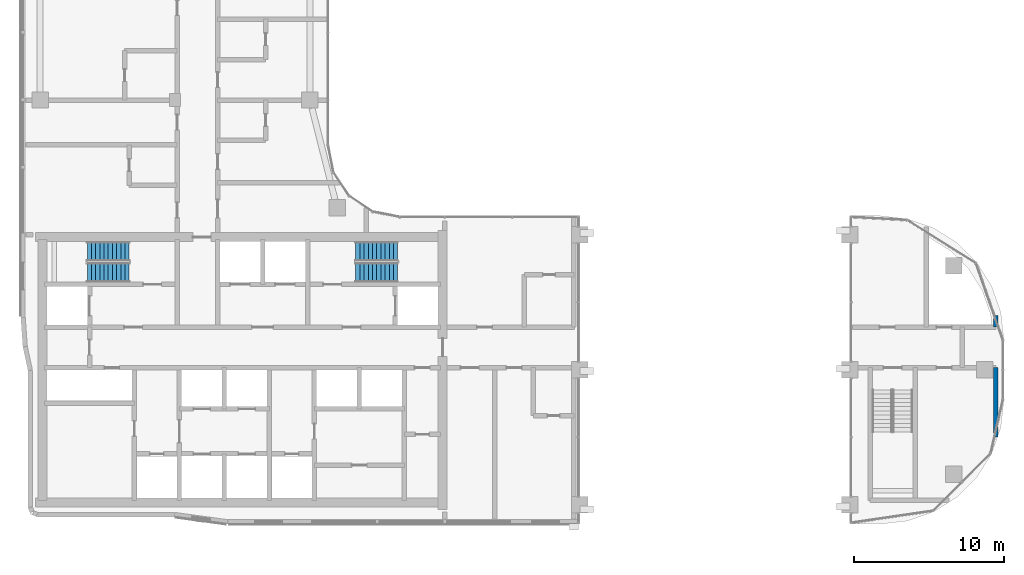
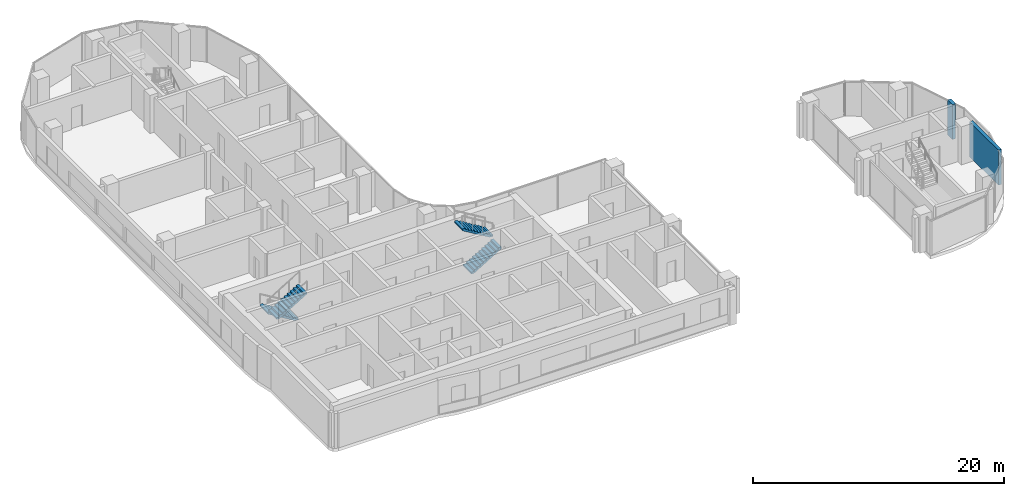
# One storey, part 14 of 23: 4 stair flights, 2 walls, 2 elements without a shape of their own.
"""IFC4 building model written with IfcOpenShell, lengths in metres."""

from ifc_helpers import new_model, si_unit, direction, frame, frame_2d, origin, place, context, subcontext, project, spatial, rectangle, extrude, triangles, source, transform, mapped, material, layer, layer_set, type_object, element, aggregate, save


model = new_model("IFC4")

# Units and contexts
model_context = context("Model", 3, precision=1e-05, world=origin(), true_north=direction((0.0, 1.0)))
body_context = subcontext(model_context, "Body", "Model", "MODEL_VIEW")
ifc_project = project(units=[si_unit("LENGTHUNIT", "METRE"), si_unit("AREAUNIT", "SQUARE_METRE"), si_unit("VOLUMEUNIT", "CUBIC_METRE"), si_unit("PLANEANGLEUNIT", "RADIAN"), si_unit("MASSUNIT", "GRAM", prefix="KILO")], contexts=[model_context])

# Site, building, storey
site_placement = place(None, origin())
site = spatial("IfcSite", under=ifc_project, at=site_placement, CompositionType="ELEMENT")
building_placement = place(site_placement, origin())
building = spatial("IfcBuilding", under=site, at=building_placement, Name="Ogive Portal Towers", CompositionType="ELEMENT")
storey_placement = place(building_placement, frame((0.0, 0.0, 168.10009765625)))
storey = spatial("IfcBuildingStorey", under=building, at=storey_placement, Name="L41", CompositionType="ELEMENT", Elevation=168.10009765625)

# Walls
ifc_material_1 = material(Name="Gypsum board partition on steel studs", Category="steel")
ifc_layer = layer(ifc_material_1, 0.300048828125)
ifc_layer_set = layer_set([ifc_layer], Name="WT-PART-300-EI 60")
wall_type = type_object("IfcWallType", Name="WT-PART-300-EI 60", PredefinedType="PARTITIONING", material=ifc_layer_set)
wall_1_placement = place(storey_placement, frame((95.25, 26.033935546875, 0.0), z_axis=(0.0, 0.0, 1.0), x_axis=(0.0, 1.0, 0.0)))
element("IfcWall", 1, at=wall_1_placement, inside=storey, type_object=wall_type, Name="Wall L41:w048", PredefinedType="PARTITIONING", context=body_context, shape_type="SweptSolid", body=[
    extrude(rectangle(XDim=4.615966796875, YDim=0.300048828125, at=frame_2d((2.30810546875, 0.0))), origin(), (0.0, 0.0, 1.0), 3.39990234375),
])
wall_2_placement = place(storey_placement, frame((95.25, 33.35009765625, 0.0), z_axis=(0.0, 0.0, 1.0), x_axis=(0.0, 1.0, 0.0)))
element("IfcWall", 2, at=wall_2_placement, inside=storey, type_object=wall_type, Name="Wall L41:w049", PredefinedType="PARTITIONING", context=body_context, shape_type="SweptSolid", body=[
    extrude(rectangle(XDim=0.77197265625, YDim=0.300048828125, at=frame_2d((0.385986328125, 0.0))), origin(), (0.0, 0.0, 1.0), 3.39990234375),
])

# Stair, stair flights
ifc_material_2 = material(Name="Concrete C40/50", Category="concrete")
stair_type = type_object("IfcStairType", Name="INT-STAIR", PredefinedType="HALF_TURN_STAIR", material=ifc_material_2)
stair_1_placement = place(storey_placement, origin())
stair_1 = element("IfcStair", 3, at=stair_1_placement, inside=storey, type_object=stair_type, Name="L41 Exit Stair ST-A1", PredefinedType="HALF_TURN_STAIR")
stair_flight_type = type_object("IfcStairFlightType", Name="INT-FLIGHT", PredefinedType="STRAIGHT", material=ifc_material_2)
shared_shape = source(origin(), body_context, "Body", "Tessellation", [
    triangles([(0.0, -0.650146484375, 0.0), (0.0, -0.376220703125, 0.0), (0.0, -0.192626953125, 0.0), (0.0, -0.081298828125, 0.0), (0.0, -0.024169921875, 0.0), (0.0, -0.003173828125, 0.0), (0.0, 0.0, 0.0), (0.0, 0.0029296875, 0.0), (0.0, 0.02392578125, 0.0), (0.0, 0.0810546875, 0.0), (0.0, 0.1923828125, 0.0), (0.0, 0.3759765625, 0.0), (0.0, 0.64990234375, 0.0), (0.0, -0.650146484375, 0.168212890625), (0.0, -0.376220703125, 0.168212890625), (0.0, -0.192626953125, 0.168212890625), (0.0, -0.081298828125, 0.168212890625), (0.0, -0.024169921875, 0.168212890625), (0.0, -0.003173828125, 0.168212890625), (0.0, 0.0, 0.168212890625), (0.0, 0.0029296875, 0.168212890625), (0.0, 0.02392578125, 0.168212890625), (0.0, 0.0810546875, 0.168212890625), (0.0, 0.1923828125, 0.168212890625), (0.0, 0.3759765625, 0.168212890625), (0.0, 0.64990234375, 0.168212890625), (0.280029296875, -0.650146484375, 0.168212890625), (0.280029296875, -0.376220703125, 0.168212890625), (0.280029296875, -0.192626953125, 0.168212890625), (0.280029296875, -0.081298828125, 0.168212890625), (0.280029296875, -0.024169921875, 0.168212890625), (0.280029296875, -0.003173828125, 0.168212890625), (0.280029296875, 0.0, 0.168212890625), (0.280029296875, 0.0029296875, 0.168212890625), (0.280029296875, 0.02392578125, 0.168212890625), (0.280029296875, 0.0810546875, 0.168212890625), (0.280029296875, 0.1923828125, 0.168212890625), (0.280029296875, 0.3759765625, 0.168212890625), (0.280029296875, 0.64990234375, 0.168212890625), (0.280029296875, -0.650146484375, 0.33642578125), (0.280029296875, -0.376220703125, 0.33642578125), (0.280029296875, -0.192626953125, 0.33642578125), (0.280029296875, -0.081298828125, 0.33642578125), (0.280029296875, -0.024169921875, 0.33642578125), (0.280029296875, -0.003173828125, 0.33642578125), (0.280029296875, 0.0, 0.33642578125), (0.280029296875, 0.0029296875, 0.33642578125), (0.280029296875, 0.02392578125, 0.33642578125), (0.280029296875, 0.0810546875, 0.33642578125), (0.280029296875, 0.1923828125, 0.33642578125), (0.280029296875, 0.3759765625, 0.33642578125), (0.280029296875, 0.64990234375, 0.33642578125), (0.56005859375, -0.650146484375, 0.33642578125), (0.56005859375, -0.376220703125, 0.33642578125), (0.56005859375, -0.192626953125, 0.33642578125), (0.56005859375, -0.081298828125, 0.33642578125), (0.56005859375, -0.024169921875, 0.33642578125), (0.56005859375, -0.003173828125, 0.33642578125), (0.56005859375, 0.0, 0.33642578125), (0.56005859375, 0.0029296875, 0.33642578125), (0.56005859375, 0.02392578125, 0.33642578125), (0.56005859375, 0.0810546875, 0.33642578125), (0.56005859375, 0.1923828125, 0.33642578125), (0.56005859375, 0.3759765625, 0.33642578125), (0.56005859375, 0.64990234375, 0.33642578125), (0.56005859375, -0.650146484375, 0.504638671875), (0.56005859375, -0.376220703125, 0.504638671875), (0.56005859375, -0.192626953125, 0.504638671875), (0.56005859375, -0.081298828125, 0.504638671875), (0.56005859375, -0.024169921875, 0.504638671875), (0.56005859375, -0.003173828125, 0.504638671875), (0.56005859375, 0.0, 0.504638671875), (0.56005859375, 0.0029296875, 0.504638671875), (0.56005859375, 0.02392578125, 0.504638671875), (0.56005859375, 0.0810546875, 0.504638671875), (0.56005859375, 0.1923828125, 0.504638671875), (0.56005859375, 0.3759765625, 0.504638671875), (0.56005859375, 0.64990234375, 0.504638671875), (0.840087890625, -0.650146484375, 0.504638671875), (0.840087890625, -0.376220703125, 0.504638671875), (0.840087890625, -0.192626953125, 0.504638671875), (0.840087890625, -0.081298828125, 0.504638671875), (0.840087890625, -0.024169921875, 0.504638671875), (0.840087890625, -0.003173828125, 0.504638671875), (0.840087890625, 0.0, 0.504638671875), (0.840087890625, 0.0029296875, 0.504638671875), (0.840087890625, 0.02392578125, 0.504638671875), (0.840087890625, 0.0810546875, 0.504638671875), (0.840087890625, 0.1923828125, 0.504638671875), (0.840087890625, 0.3759765625, 0.504638671875), (0.840087890625, 0.64990234375, 0.504638671875), (0.840087890625, -0.650146484375, 0.672607421875), (0.840087890625, -0.376220703125, 0.672607421875), (0.840087890625, -0.192626953125, 0.672607421875), (0.840087890625, -0.081298828125, 0.672607421875), (0.840087890625, -0.024169921875, 0.672607421875), (0.840087890625, -0.003173828125, 0.672607421875), (0.840087890625, 0.0, 0.672607421875), (0.840087890625, 0.0029296875, 0.672607421875), (0.840087890625, 0.02392578125, 0.672607421875), (0.840087890625, 0.0810546875, 0.672607421875), (0.840087890625, 0.1923828125, 0.672607421875), (0.840087890625, 0.3759765625, 0.672607421875), (0.840087890625, 0.64990234375, 0.672607421875), (1.1201171875, -0.650146484375, 0.672607421875), (1.1201171875, -0.376220703125, 0.672607421875), (1.1201171875, -0.192626953125, 0.672607421875), (1.1201171875, -0.081298828125, 0.672607421875), (1.1201171875, -0.024169921875, 0.672607421875), (1.1201171875, -0.003173828125, 0.672607421875), (1.1201171875, 0.0, 0.672607421875), (1.1201171875, 0.0029296875, 0.672607421875), (1.1201171875, 0.02392578125, 0.672607421875), (1.1201171875, 0.0810546875, 0.672607421875), (1.1201171875, 0.1923828125, 0.672607421875), (1.1201171875, 0.3759765625, 0.672607421875), (1.1201171875, 0.64990234375, 0.672607421875), (1.1201171875, -0.650146484375, 0.8408203125), (1.1201171875, -0.376220703125, 0.8408203125), (1.1201171875, -0.192626953125, 0.8408203125), (1.1201171875, -0.081298828125, 0.8408203125), (1.1201171875, -0.024169921875, 0.8408203125), (1.1201171875, -0.003173828125, 0.8408203125), (1.1201171875, 0.0, 0.8408203125), (1.1201171875, 0.0029296875, 0.8408203125), (1.1201171875, 0.02392578125, 0.8408203125), (1.1201171875, 0.0810546875, 0.8408203125), (1.1201171875, 0.1923828125, 0.8408203125), (1.1201171875, 0.3759765625, 0.8408203125), (1.1201171875, 0.64990234375, 0.8408203125), (1.39990234375, -0.650146484375, 0.8408203125), (1.39990234375, -0.376220703125, 0.8408203125), (1.39990234375, -0.192626953125, 0.8408203125), (1.39990234375, -0.081298828125, 0.8408203125), (1.39990234375, -0.024169921875, 0.8408203125), (1.39990234375, -0.003173828125, 0.8408203125), (1.39990234375, 0.0, 0.8408203125), (1.39990234375, 0.0029296875, 0.8408203125), (1.39990234375, 0.02392578125, 0.8408203125), (1.39990234375, 0.0810546875, 0.8408203125), (1.39990234375, 0.1923828125, 0.8408203125), (1.39990234375, 0.3759765625, 0.8408203125), (1.39990234375, 0.64990234375, 0.8408203125), (1.39990234375, -0.650146484375, 1.009033203125), (1.39990234375, -0.376220703125, 1.009033203125), (1.39990234375, -0.192626953125, 1.009033203125), (1.39990234375, -0.081298828125, 1.009033203125), (1.39990234375, -0.024169921875, 1.009033203125), (1.39990234375, -0.003173828125, 1.009033203125), (1.39990234375, 0.0, 1.009033203125), (1.39990234375, 0.0029296875, 1.009033203125), (1.39990234375, 0.02392578125, 1.009033203125), (1.39990234375, 0.0810546875, 1.009033203125), (1.39990234375, 0.1923828125, 1.009033203125), (1.39990234375, 0.3759765625, 1.009033203125), (1.39990234375, 0.64990234375, 1.009033203125), (1.679931640625, -0.650146484375, 1.009033203125), (1.679931640625, -0.376220703125, 1.009033203125), (1.679931640625, -0.192626953125, 1.009033203125), (1.679931640625, -0.081298828125, 1.009033203125), (1.679931640625, -0.024169921875, 1.009033203125), (1.679931640625, -0.003173828125, 1.009033203125), (1.679931640625, 0.0, 1.009033203125), (1.679931640625, 0.0029296875, 1.009033203125), (1.679931640625, 0.02392578125, 1.009033203125), (1.679931640625, 0.0810546875, 1.009033203125), (1.679931640625, 0.1923828125, 1.009033203125), (1.679931640625, 0.3759765625, 1.009033203125), (1.679931640625, 0.64990234375, 1.009033203125), (1.679931640625, -0.650146484375, 1.17724609375), (1.679931640625, -0.376220703125, 1.17724609375), (1.679931640625, -0.192626953125, 1.17724609375), (1.679931640625, -0.081298828125, 1.17724609375), (1.679931640625, -0.024169921875, 1.17724609375), (1.679931640625, -0.003173828125, 1.17724609375), (1.679931640625, 0.0, 1.17724609375), (1.679931640625, 0.0029296875, 1.17724609375), (1.679931640625, 0.02392578125, 1.17724609375), (1.679931640625, 0.0810546875, 1.17724609375), (1.679931640625, 0.1923828125, 1.17724609375), (1.679931640625, 0.3759765625, 1.17724609375), (1.679931640625, 0.64990234375, 1.17724609375), (1.9599609375, -0.650146484375, 1.17724609375), (1.9599609375, -0.376220703125, 1.17724609375), (1.9599609375, -0.192626953125, 1.17724609375), (1.9599609375, -0.081298828125, 1.17724609375), (1.9599609375, -0.024169921875, 1.17724609375), (1.9599609375, -0.003173828125, 1.17724609375), (1.9599609375, 0.0, 1.17724609375), (1.9599609375, 0.0029296875, 1.17724609375), (1.9599609375, 0.02392578125, 1.17724609375), (1.9599609375, 0.0810546875, 1.17724609375), (1.9599609375, 0.1923828125, 1.17724609375), (1.9599609375, 0.3759765625, 1.17724609375), (1.9599609375, 0.64990234375, 1.17724609375), (1.9599609375, -0.650146484375, 1.345458984375), (1.9599609375, -0.376220703125, 1.345458984375), (1.9599609375, -0.192626953125, 1.345458984375), (1.9599609375, -0.081298828125, 1.345458984375), (1.9599609375, -0.024169921875, 1.345458984375), (1.9599609375, -0.003173828125, 1.345458984375), (1.9599609375, 0.0, 1.345458984375), (1.9599609375, 0.0029296875, 1.345458984375), (1.9599609375, 0.02392578125, 1.345458984375), (1.9599609375, 0.0810546875, 1.345458984375), (1.9599609375, 0.1923828125, 1.345458984375), (1.9599609375, 0.3759765625, 1.345458984375), (1.9599609375, 0.64990234375, 1.345458984375), (2.239990234375, -0.650146484375, 1.345458984375), (2.239990234375, -0.376220703125, 1.345458984375), (2.239990234375, -0.192626953125, 1.345458984375), (2.239990234375, -0.081298828125, 1.345458984375), (2.239990234375, -0.024169921875, 1.345458984375), (2.239990234375, -0.003173828125, 1.345458984375), (2.239990234375, 0.0, 1.345458984375), (2.239990234375, 0.0029296875, 1.345458984375), (2.239990234375, 0.02392578125, 1.345458984375), (2.239990234375, 0.0810546875, 1.345458984375), (2.239990234375, 0.1923828125, 1.345458984375), (2.239990234375, 0.3759765625, 1.345458984375), (2.239990234375, 0.64990234375, 1.345458984375), (2.239990234375, -0.650146484375, 1.513671875), (2.239990234375, -0.376220703125, 1.513671875), (2.239990234375, -0.192626953125, 1.513671875), (2.239990234375, -0.081298828125, 1.513671875), (2.239990234375, -0.024169921875, 1.513671875), (2.239990234375, -0.003173828125, 1.513671875), (2.239990234375, 0.0, 1.513671875), (2.239990234375, 0.0029296875, 1.513671875), (2.239990234375, 0.02392578125, 1.513671875), (2.239990234375, 0.0810546875, 1.513671875), (2.239990234375, 0.1923828125, 1.513671875), (2.239990234375, 0.3759765625, 1.513671875), (2.239990234375, 0.64990234375, 1.513671875), (2.52001953125, -0.650146484375, 1.513671875), (2.52001953125, -0.376220703125, 1.513671875), (2.52001953125, -0.192626953125, 1.513671875), (2.52001953125, -0.081298828125, 1.513671875), (2.52001953125, -0.024169921875, 1.513671875), (2.52001953125, -0.003173828125, 1.513671875), (2.52001953125, 0.0, 1.513671875), (2.52001953125, 0.0029296875, 1.513671875), (2.52001953125, 0.02392578125, 1.513671875), (2.52001953125, 0.0810546875, 1.513671875), (2.52001953125, 0.1923828125, 1.513671875), (2.52001953125, 0.3759765625, 1.513671875), (2.52001953125, 0.64990234375, 1.513671875), (2.52001953125, -0.650146484375, 1.681884765625), (2.52001953125, -0.376220703125, 1.681884765625), (2.52001953125, -0.192626953125, 1.681884765625), (2.52001953125, -0.081298828125, 1.681884765625), (2.52001953125, -0.024169921875, 1.681884765625), (2.52001953125, -0.003173828125, 1.681884765625), (2.52001953125, 0.0, 1.681884765625), (2.52001953125, 0.0029296875, 1.681884765625), (2.52001953125, 0.02392578125, 1.681884765625), (2.52001953125, 0.0810546875, 1.681884765625), (2.52001953125, 0.1923828125, 1.681884765625), (2.52001953125, 0.3759765625, 1.681884765625), (2.52001953125, 0.64990234375, 1.681884765625), (2.800048828125, -0.650146484375, 1.681884765625), (2.800048828125, -0.376220703125, 1.681884765625), (2.800048828125, -0.192626953125, 1.681884765625), (2.800048828125, -0.081298828125, 1.681884765625), (2.800048828125, -0.024169921875, 1.681884765625), (2.800048828125, -0.003173828125, 1.681884765625), (2.800048828125, 0.0, 1.681884765625), (2.800048828125, 0.0029296875, 1.681884765625), (2.800048828125, 0.02392578125, 1.681884765625), (2.800048828125, 0.0810546875, 1.681884765625), (2.800048828125, 0.1923828125, 1.681884765625), (2.800048828125, 0.3759765625, 1.681884765625), (2.800048828125, 0.64990234375, 1.681884765625), (2.800048828125, -0.650146484375, 1.5068359375), (2.800048828125, -0.376220703125, 1.5068359375), (2.800048828125, -0.192626953125, 1.5068359375), (2.800048828125, -0.081298828125, 1.5068359375), (2.800048828125, -0.024169921875, 1.5068359375), (2.800048828125, -0.003173828125, 1.5068359375), (2.800048828125, 0.0, 1.5068359375), (2.800048828125, 0.0029296875, 1.5068359375), (2.800048828125, 0.02392578125, 1.5068359375), (2.800048828125, 0.0810546875, 1.5068359375), (2.800048828125, 0.1923828125, 1.5068359375), (2.800048828125, 0.3759765625, 1.5068359375), (2.800048828125, 0.64990234375, 1.5068359375), (0.291015625, -0.650146484375, 0.0), (0.291015625, -0.376220703125, 0.0), (0.291015625, -0.192626953125, 0.0), (0.291015625, -0.081298828125, 0.0), (0.291015625, -0.024169921875, 0.0), (0.291015625, -0.003173828125, 0.0), (0.291015625, 0.0, 0.0), (0.291015625, 0.0029296875, 0.0), (0.291015625, 0.02392578125, 0.0), (0.291015625, 0.0810546875, 0.0), (0.291015625, 0.1923828125, 0.0), (0.291015625, 0.3759765625, 0.0), (0.291015625, 0.64990234375, 0.0)], [[1, 14, 15], [1, 15, 2], [2, 15, 16], [2, 16, 3], [3, 16, 17], [3, 17, 4], [4, 17, 18], [4, 18, 5], [5, 18, 19], [5, 19, 6], [6, 19, 20], [6, 20, 7], [7, 20, 21], [7, 21, 8], [8, 21, 22], [8, 22, 9], [9, 22, 23], [9, 23, 10], [10, 23, 24], [10, 24, 11], [11, 24, 25], [11, 25, 12], [12, 25, 26], [12, 26, 13], [14, 27, 28], [14, 28, 15], [15, 28, 29], [15, 29, 16], [16, 29, 30], [16, 30, 17], [17, 30, 31], [17, 31, 18], [18, 31, 32], [18, 32, 19], [19, 32, 33], [19, 33, 20], [20, 33, 34], [20, 34, 21], [21, 34, 35], [21, 35, 22], [22, 35, 36], [22, 36, 23], [23, 36, 37], [23, 37, 24], [24, 37, 38], [24, 38, 25], [25, 38, 39], [25, 39, 26], [27, 40, 41], [27, 41, 28], [28, 41, 42], [28, 42, 29], [29, 42, 43], [29, 43, 30], [30, 43, 44], [30, 44, 31], [31, 44, 45], [31, 45, 32], [32, 45, 46], [32, 46, 33], [33, 46, 47], [33, 47, 34], [34, 47, 48], [34, 48, 35], [35, 48, 49], [35, 49, 36], [36, 49, 50], [36, 50, 37], [37, 50, 51], [37, 51, 38], [38, 51, 52], [38, 52, 39], [40, 53, 54], [40, 54, 41], [41, 54, 55], [41, 55, 42], [42, 55, 56], [42, 56, 43], [43, 56, 57], [43, 57, 44], [44, 57, 58], [44, 58, 45], [45, 58, 59], [45, 59, 46], [46, 59, 60], [46, 60, 47], [47, 60, 61], [47, 61, 48], [48, 61, 62], [48, 62, 49], [49, 62, 63], [49, 63, 50], [50, 63, 64], [50, 64, 51], [51, 64, 65], [51, 65, 52], [53, 66, 67], [53, 67, 54], [54, 67, 68], [54, 68, 55], [55, 68, 69], [55, 69, 56], [56, 69, 70], [56, 70, 57], [57, 70, 71], [57, 71, 58], [58, 71, 72], [58, 72, 59], [59, 72, 73], [59, 73, 60], [60, 73, 74], [60, 74, 61], [61, 74, 75], [61, 75, 62], [62, 75, 76], [62, 76, 63], [63, 76, 77], [63, 77, 64], [64, 77, 78], [64, 78, 65], [66, 79, 80], [66, 80, 67], [67, 80, 81], [67, 81, 68], [68, 81, 82], [68, 82, 69], [69, 82, 83], [69, 83, 70], [70, 83, 84], [70, 84, 71], [71, 84, 85], [71, 85, 72], [72, 85, 86], [72, 86, 73], [73, 86, 87], [73, 87, 74], [74, 87, 88], [74, 88, 75], [75, 88, 89], [75, 89, 76], [76, 89, 90], [76, 90, 77], [77, 90, 91], [77, 91, 78], [79, 92, 93], [79, 93, 80], [80, 93, 94], [80, 94, 81], [81, 94, 95], [81, 95, 82], [82, 95, 96], [82, 96, 83], [83, 96, 97], [83, 97, 84], [84, 97, 98], [84, 98, 85], [85, 98, 99], [85, 99, 86], [86, 99, 100], [86, 100, 87], [87, 100, 101], [87, 101, 88], [88, 101, 102], [88, 102, 89], [89, 102, 103], [89, 103, 90], [90, 103, 104], [90, 104, 91], [92, 105, 106], [92, 106, 93], [93, 106, 107], [93, 107, 94], [94, 107, 108], [94, 108, 95], [95, 108, 109], [95, 109, 96], [96, 109, 110], [96, 110, 97], [97, 110, 111], [97, 111, 98], [98, 111, 112], [98, 112, 99], [99, 112, 113], [99, 113, 100], [100, 113, 114], [100, 114, 101], [101, 114, 115], [101, 115, 102], [102, 115, 116], [102, 116, 103], [103, 116, 117], [103, 117, 104], [105, 118, 119], [105, 119, 106], [106, 119, 120], [106, 120, 107], [107, 120, 121], [107, 121, 108], [108, 121, 122], [108, 122, 109], [109, 122, 123], [109, 123, 110], [110, 123, 124], [110, 124, 111], [111, 124, 125], [111, 125, 112], [112, 125, 126], [112, 126, 113], [113, 126, 127], [113, 127, 114], [114, 127, 128], [114, 128, 115], [115, 128, 129], [115, 129, 116], [116, 129, 130], [116, 130, 117], [118, 131, 132], [118, 132, 119], [119, 132, 133], [119, 133, 120], [120, 133, 134], [120, 134, 121], [121, 134, 135], [121, 135, 122], [122, 135, 136], [122, 136, 123], [123, 136, 137], [123, 137, 124], [124, 137, 138], [124, 138, 125], [125, 138, 139], [125, 139, 126], [126, 139, 140], [126, 140, 127], [127, 140, 141], [127, 141, 128], [128, 141, 142], [128, 142, 129], [129, 142, 143], [129, 143, 130], [131, 144, 145], [131, 145, 132], [132, 145, 146], [132, 146, 133], [133, 146, 147], [133, 147, 134], [134, 147, 148], [134, 148, 135], [135, 148, 149], [135, 149, 136], [136, 149, 150], [136, 150, 137], [137, 150, 151], [137, 151, 138], [138, 151, 152], [138, 152, 139], [139, 152, 153], [139, 153, 140], [140, 153, 154], [140, 154, 141], [141, 154, 155], [141, 155, 142], [142, 155, 156], [142, 156, 143], [144, 157, 158], [144, 158, 145], [145, 158, 159], [145, 159, 146], [146, 159, 160], [146, 160, 147], [147, 160, 161], [147, 161, 148], [148, 161, 162], [148, 162, 149], [149, 162, 163], [149, 163, 150], [150, 163, 164], [150, 164, 151], [151, 164, 165], [151, 165, 152], [152, 165, 166], [152, 166, 153], [153, 166, 167], [153, 167, 154], [154, 167, 168], [154, 168, 155], [155, 168, 169], [155, 169, 156], [157, 170, 171], [157, 171, 158], [158, 171, 172], [158, 172, 159], [159, 172, 173], [159, 173, 160], [160, 173, 174], [160, 174, 161], [161, 174, 175], [161, 175, 162], [162, 175, 176], [162, 176, 163], [163, 176, 177], [163, 177, 164], [164, 177, 178], [164, 178, 165], [165, 178, 179], [165, 179, 166], [166, 179, 180], [166, 180, 167], [167, 180, 181], [167, 181, 168], [168, 181, 182], [168, 182, 169], [170, 183, 184], [170, 184, 171], [171, 184, 185], [171, 185, 172], [172, 185, 186], [172, 186, 173], [173, 186, 187], [173, 187, 174], [174, 187, 188], [174, 188, 175], [175, 188, 189], [175, 189, 176], [176, 189, 190], [176, 190, 177], [177, 190, 191], [177, 191, 178], [178, 191, 192], [178, 192, 179], [179, 192, 193], [179, 193, 180], [180, 193, 194], [180, 194, 181], [181, 194, 195], [181, 195, 182], [183, 196, 197], [183, 197, 184], [184, 197, 198], [184, 198, 185], [185, 198, 199], [185, 199, 186], [186, 199, 200], [186, 200, 187], [187, 200, 201], [187, 201, 188], [188, 201, 202], [188, 202, 189], [189, 202, 203], [189, 203, 190], [190, 203, 204], [190, 204, 191], [191, 204, 205], [191, 205, 192], [192, 205, 206], [192, 206, 193], [193, 206, 207], [193, 207, 194], [194, 207, 208], [194, 208, 195], [196, 209, 210], [196, 210, 197], [197, 210, 211], [197, 211, 198], [198, 211, 212], [198, 212, 199], [199, 212, 213], [199, 213, 200], [200, 213, 214], [200, 214, 201], [201, 214, 215], [201, 215, 202], [202, 215, 216], [202, 216, 203], [203, 216, 217], [203, 217, 204], [204, 217, 218], [204, 218, 205], [205, 218, 219], [205, 219, 206], [206, 219, 220], [206, 220, 207], [207, 220, 221], [207, 221, 208], [209, 222, 223], [209, 223, 210], [210, 223, 224], [210, 224, 211], [211, 224, 225], [211, 225, 212], [212, 225, 226], [212, 226, 213], [213, 226, 227], [213, 227, 214], [214, 227, 228], [214, 228, 215], [215, 228, 229], [215, 229, 216], [216, 229, 230], [216, 230, 217], [217, 230, 231], [217, 231, 218], [218, 231, 232], [218, 232, 219], [219, 232, 233], [219, 233, 220], [220, 233, 234], [220, 234, 221], [222, 235, 236], [222, 236, 223], [223, 236, 237], [223, 237, 224], [224, 237, 238], [224, 238, 225], [225, 238, 239], [225, 239, 226], [226, 239, 240], [226, 240, 227], [227, 240, 241], [227, 241, 228], [228, 241, 242], [228, 242, 229], [229, 242, 243], [229, 243, 230], [230, 243, 244], [230, 244, 231], [231, 244, 245], [231, 245, 232], [232, 245, 246], [232, 246, 233], [233, 246, 247], [233, 247, 234], [235, 248, 249], [235, 249, 236], [236, 249, 250], [236, 250, 237], [237, 250, 251], [237, 251, 238], [238, 251, 252], [238, 252, 239], [239, 252, 253], [239, 253, 240], [240, 253, 254], [240, 254, 241], [241, 254, 255], [241, 255, 242], [242, 255, 256], [242, 256, 243], [243, 256, 257], [243, 257, 244], [244, 257, 258], [244, 258, 245], [245, 258, 259], [245, 259, 246], [246, 259, 260], [246, 260, 247], [248, 261, 262], [248, 262, 249], [249, 262, 263], [249, 263, 250], [250, 263, 264], [250, 264, 251], [251, 264, 265], [251, 265, 252], [252, 265, 266], [252, 266, 253], [253, 266, 267], [253, 267, 254], [254, 267, 268], [254, 268, 255], [255, 268, 269], [255, 269, 256], [256, 269, 270], [256, 270, 257], [257, 270, 271], [257, 271, 258], [258, 271, 272], [258, 272, 259], [259, 272, 273], [259, 273, 260], [261, 274, 275], [261, 275, 262], [262, 275, 276], [262, 276, 263], [263, 276, 277], [263, 277, 264], [264, 277, 278], [264, 278, 265], [265, 278, 279], [265, 279, 266], [266, 279, 280], [266, 280, 267], [267, 280, 281], [267, 281, 268], [268, 281, 282], [268, 282, 269], [269, 282, 283], [269, 283, 270], [270, 283, 284], [270, 284, 271], [271, 284, 285], [271, 285, 272], [272, 285, 286], [272, 286, 273], [274, 287, 288], [274, 288, 275], [275, 288, 289], [275, 289, 276], [276, 289, 290], [276, 290, 277], [277, 290, 291], [277, 291, 278], [278, 291, 292], [278, 292, 279], [279, 292, 293], [279, 293, 280], [280, 293, 294], [280, 294, 281], [281, 294, 295], [281, 295, 282], [282, 295, 296], [282, 296, 283], [283, 296, 297], [283, 297, 284], [284, 297, 298], [284, 298, 285], [285, 298, 299], [285, 299, 286], [287, 1, 2], [287, 2, 288], [288, 2, 3], [288, 3, 289], [289, 3, 4], [289, 4, 290], [290, 4, 5], [290, 5, 291], [291, 5, 6], [291, 6, 292], [292, 6, 7], [292, 7, 293], [293, 7, 8], [293, 8, 294], [294, 8, 9], [294, 9, 295], [295, 9, 10], [295, 10, 296], [296, 10, 11], [296, 11, 297], [297, 11, 12], [297, 12, 298], [298, 12, 13], [298, 13, 299], [1, 287, 274], [13, 286, 299], [274, 261, 248], [286, 260, 273], [274, 248, 235], [286, 247, 260], [274, 235, 222], [286, 234, 247], [274, 222, 209], [286, 221, 234], [209, 196, 183], [221, 195, 208], [274, 209, 183], [286, 195, 221], [183, 170, 157], [195, 169, 182], [274, 183, 157], [286, 169, 195], [157, 144, 131], [169, 143, 156], [274, 157, 131], [286, 143, 169], [131, 118, 105], [143, 117, 130], [274, 131, 105], [286, 117, 143], [1, 274, 105], [13, 117, 286], [105, 92, 79], [117, 91, 104], [79, 66, 53], [91, 65, 78], [105, 79, 53], [117, 65, 91], [53, 40, 27], [65, 39, 52], [105, 53, 27], [117, 39, 65], [1, 105, 27], [13, 39, 117], [27, 14, 1], [39, 13, 26]], closed=True),
])
stair_flight_1_placement = place(storey_placement, frame((37.449951171875, 38.39990234375, 0.0), z_axis=(0.0, 0.0, 1.0), x_axis=(-1.0, 0.0, 0.0)))
stair_flight_1 = element("IfcStairFlight", 4, at=stair_flight_1_placement, type_object=stair_flight_type, Name="ST-A1 flight 1", NumberOfRisers=11, NumberOfTreads=10, PredefinedType="STRAIGHT", RiserHeight=0.168181818, TreadLength=0.28, context=body_context, shape_type="MappedRepresentation", body=[
    mapped(shared_shape, transform((0.0, 0.0, 0.0), scale=1.0)),
])
stair_flight_2_placement = place(storey_placement, frame((34.64990234375, 37.0, 1.849853515625), z_axis=(0.0, 0.0, 1.0), x_axis=(1.0, 0.0, 0.0)))
stair_flight_2 = element("IfcStairFlight", 5, at=stair_flight_2_placement, type_object=stair_flight_type, Name="ST-A1 flight 2", NumberOfRisers=11, NumberOfTreads=10, PredefinedType="STRAIGHT", RiserHeight=0.168181818, TreadLength=0.28, context=body_context, shape_type="MappedRepresentation", body=[
    mapped(shared_shape, transform((0.0, 0.0, 0.0), scale=1.0)),
])
aggregate(stair_1, [stair_flight_1, stair_flight_2])

stair_2_placement = place(storey_placement, origin())
stair_2 = element("IfcStair", 6, at=stair_2_placement, inside=storey, type_object=stair_type, Name="L41 Exit Stair ST-A2", PredefinedType="HALF_TURN_STAIR")
stair_flight_3_placement = place(storey_placement, frame((52.550048828125, 37.0, 0.0), z_axis=(0.0, 0.0, 1.0), x_axis=(1.0, 0.0, 0.0)))
stair_flight_3 = element("IfcStairFlight", 7, at=stair_flight_3_placement, type_object=stair_flight_type, Name="ST-A2 flight 1", NumberOfRisers=11, NumberOfTreads=10, PredefinedType="STRAIGHT", RiserHeight=0.168181818, TreadLength=0.28, context=body_context, shape_type="MappedRepresentation", body=[
    mapped(shared_shape, transform((0.0, 0.0, 0.0), scale=1.0)),
])
stair_flight_4_placement = place(storey_placement, frame((55.35009765625, 38.39990234375, 1.849853515625), z_axis=(0.0, 0.0, 1.0), x_axis=(-1.0, 0.0, 0.0)))
stair_flight_4 = element("IfcStairFlight", 8, at=stair_flight_4_placement, type_object=stair_flight_type, Name="ST-A2 flight 2", NumberOfRisers=11, NumberOfTreads=10, PredefinedType="STRAIGHT", RiserHeight=0.168181818, TreadLength=0.28, context=body_context, shape_type="MappedRepresentation", body=[
    mapped(shared_shape, transform((0.0, 0.0, 0.0), scale=1.0)),
])
aggregate(stair_2, [stair_flight_3, stair_flight_4])

save(model, "model.ifc")
